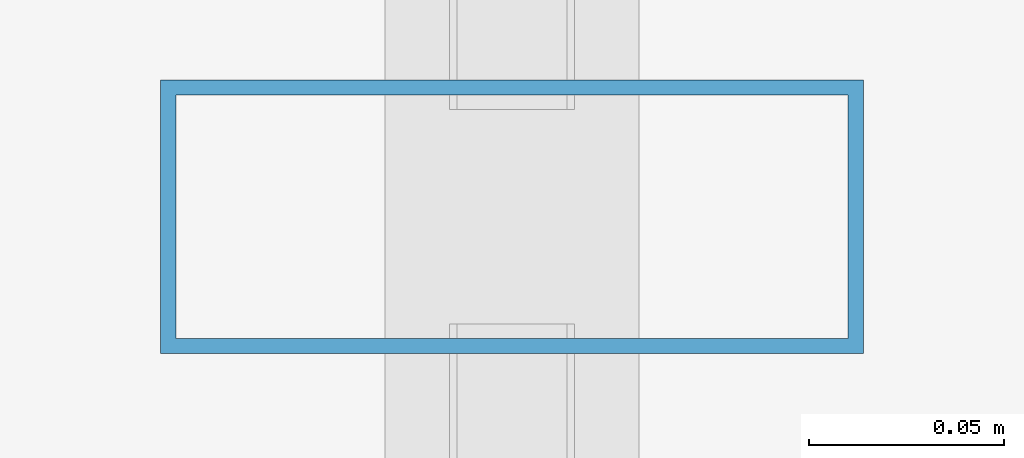
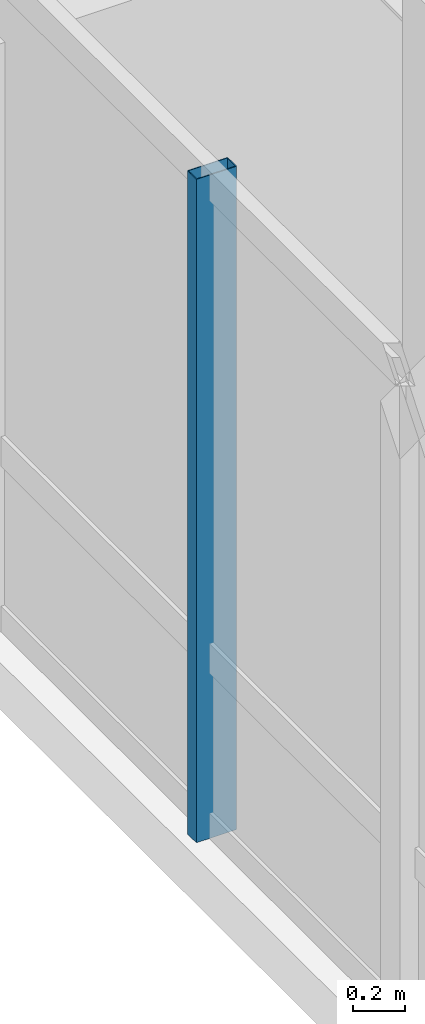
# One storey, part 12 of 37: 1 member, 1 element without a shape of its own.
"""IFC4 building model written with IfcOpenShell, lengths in metres."""

from ifc_helpers import new_model, si_unit, direction, frame, origin, origin_2d, place, context, subcontext, project, spatial, hollow_rectangle, extrude, material, layer, layer_set, material_profile, profile_set, type_object, element, aggregate, save


model = new_model("IFC4")

# Units and contexts
model_context = context("Model", 3, precision=1e-05, world=origin(), true_north=direction((0.0, 1.0)))
body_context = subcontext(model_context, "Body", "Model", "MODEL_VIEW")
ifc_project = project(units=[si_unit("LENGTHUNIT", "METRE"), si_unit("AREAUNIT", "SQUARE_METRE"), si_unit("VOLUMEUNIT", "CUBIC_METRE"), si_unit("PLANEANGLEUNIT", "RADIAN"), si_unit("MASSUNIT", "GRAM", prefix="KILO")], contexts=[model_context])

# Site, building, storey
site_placement = place(None, origin())
site = spatial("IfcSite", under=ifc_project, at=site_placement, CompositionType="ELEMENT")
building_placement = place(site_placement, origin())
building = spatial("IfcBuilding", under=site, at=building_placement, Name="Hatsunagi Terrace Concourse", CompositionType="ELEMENT")
storey_placement = place(building_placement, frame((0.0, 0.0, 39.949951171875)))
storey = spatial("IfcBuildingStorey", under=building, at=storey_placement, Name="L09", CompositionType="ELEMENT", Elevation=39.949951171875)

# Curtain wall, member
ifc_material_1 = material(Name="Anodised Aluminium Alloy 6063-T5", Category="aluminium")
ifc_layer = layer(ifc_material_1, 0.199951171875)
ifc_layer_set = layer_set([ifc_layer], Name="HotelFacade_CW02")
curtain_wall_type = type_object("IfcCurtainWallType", Name="HotelFacade_CW02", PredefinedType="NOTDEFINED", material=ifc_layer_set)
curtain_wall_placement = place(storey_placement, origin())
curtain_wall = element("IfcCurtainWall", 1, at=curtain_wall_placement, inside=storey, type_object=curtain_wall_type, Name="Unitised Curtain Wall CW-02 CW-L09-09", PredefinedType="NOTDEFINED")
ifc_material_2 = material(Name="Anodised Aluminium Alloy 6063-T5", Category="aluminium")
ifc_material_profile = material_profile(ifc_material_2, hollow_rectangle(XDim=0.070068359375, YDim=0.179931640625, WallThickness=0.00390625, at=origin_2d()), Name="ALU-MUL-180x70x4")
ifc_profile_set = profile_set([ifc_material_profile], Name="Anodised Aluminium Alloy 6063-T5")
member_type = type_object("IfcMemberType", Name="CurtainWallMullion_180x70", PredefinedType="MULLION", material=ifc_profile_set)
member_placement = place(storey_placement, frame((0.139892578125, 36.89990234375, 0.0), z_axis=(0.0, 0.0, 1.0), x_axis=(0.0, 1.0, 0.0)))
member = element("IfcMember", 2, at=member_placement, type_object=member_type, Name="Curtain Wall Mullion MUL-02", PredefinedType="MULLION", context=body_context, shape_type="SweptSolid", body=[
    extrude(hollow_rectangle(XDim=0.070068359375, YDim=0.179931640625, WallThickness=0.00390625, at=origin_2d()), origin(), (0.0, 0.0, 1.0), 3.130126953125),
])
aggregate(curtain_wall, [member])

save(model, "model.ifc")
